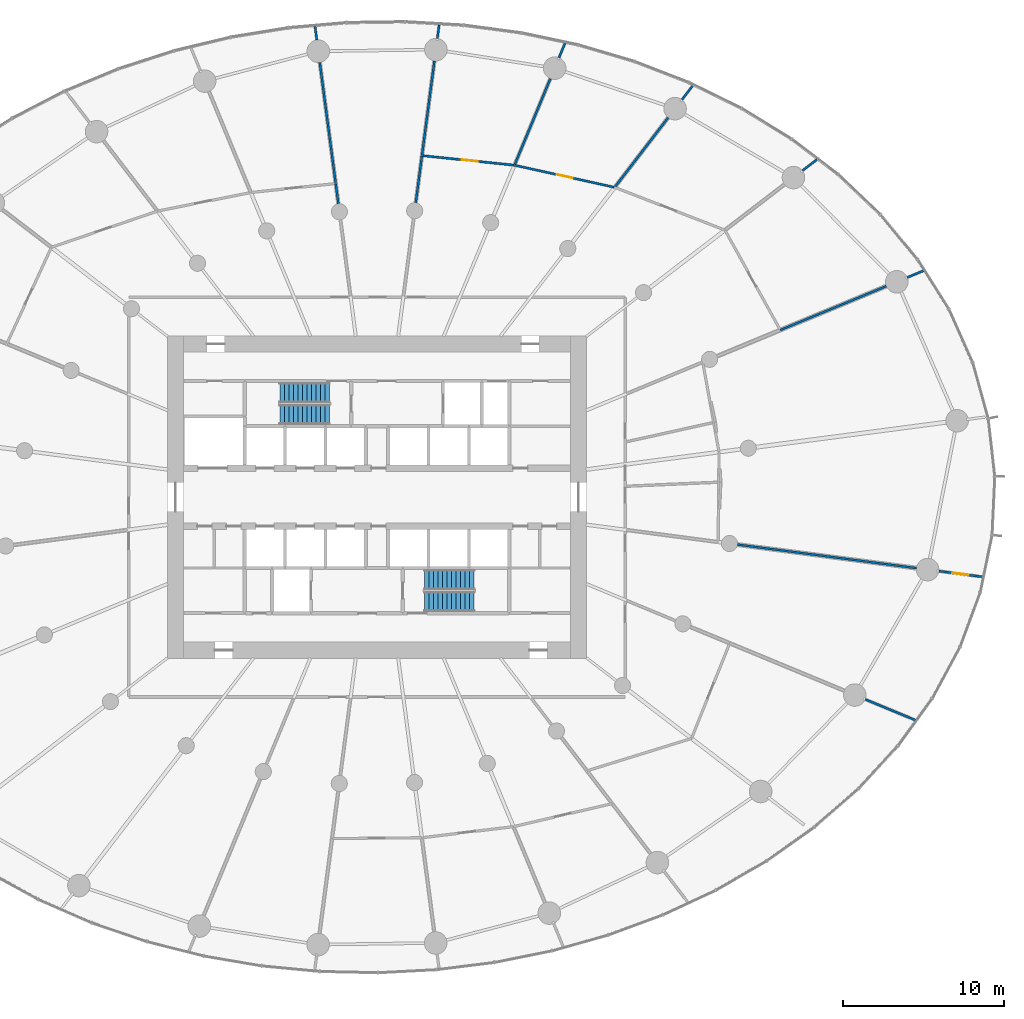
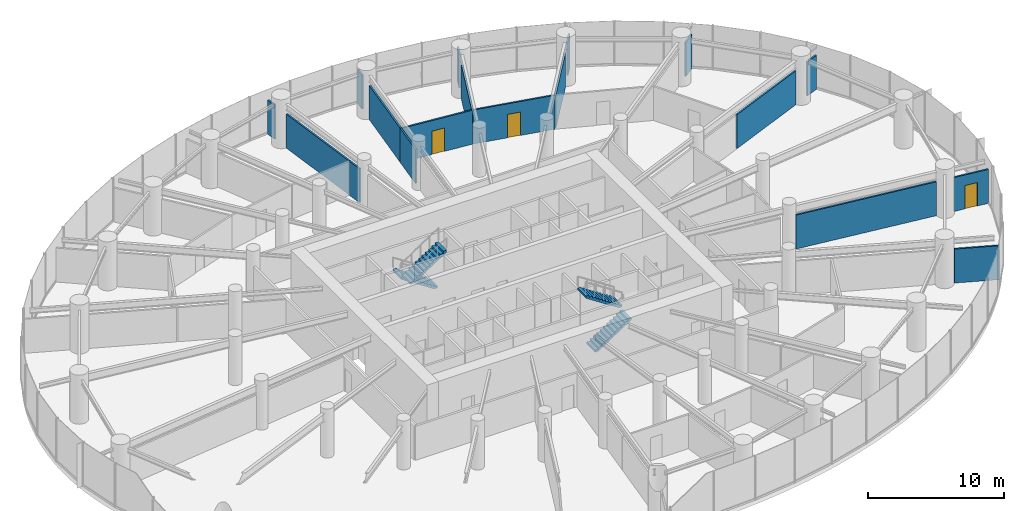
# One storey, part 16 of 19: 18 walls, 4 stair flights, 3 doors, 3 openings, 2 elements without a shape of their own.
"""IFC4 building model written with IfcOpenShell, lengths in metres."""

from ifc_helpers import new_model, si_unit, direction, frame, frame_2d, origin, place, context, subcontext, project, spatial, line, indexed_curve, rectangle, outline, extrude, source, transform, mapped, material, layer, layer_set, type_object, element, fill, aggregate, save


model = new_model("IFC4")

# Units and contexts
model_context = context("Model", 3, precision=1e-05, world=origin(), true_north=direction((0.0, 1.0)))
body_context = subcontext(model_context, "Body", "Model", "MODEL_VIEW")
ifc_project = project(units=[si_unit("LENGTHUNIT", "METRE"), si_unit("AREAUNIT", "SQUARE_METRE"), si_unit("VOLUMEUNIT", "CUBIC_METRE"), si_unit("PLANEANGLEUNIT", "RADIAN"), si_unit("MASSUNIT", "GRAM", prefix="KILO")], contexts=[model_context])

# Site, building, storey
site_placement = place(None, origin())
site = spatial("IfcSite", under=ifc_project, at=site_placement, CompositionType="ELEMENT")
building_placement = place(site_placement, origin())
building = spatial("IfcBuilding", under=site, at=building_placement, Name="Spindrift Exchange Tower", CompositionType="ELEMENT")
storey_placement = place(building_placement, frame((0.0, 0.0, 27.0)))
storey = spatial("IfcBuildingStorey", under=building, at=storey_placement, Name="L06", CompositionType="ELEMENT", Elevation=27.0)

# Walls
ifc_material_1 = material(Name="Fire-rated plasterboard partition", Category="gypsum")
ifc_layer_1 = layer(ifc_material_1, 0.139892578125)
ifc_layer_set_1 = layer_set([ifc_layer_1], Name="W-PART-140")
wall_type_1 = type_object("IfcWallType", Name="W-PART-140", PredefinedType="PARTITIONING", material=ifc_layer_set_1)
wall_1_placement = place(storey_placement, frame((74.36328125, 45.055908203125, 0.0), z_axis=(0.0, 0.0, 1.0), x_axis=(0.991443306772, -0.130538000051, 0.0)))
element("IfcWall", 1, at=wall_1_placement, inside=storey, type_object=wall_type_1, Name="L06 Partition wall 66", PredefinedType="PARTITIONING", context=body_context, shape_type="SweptSolid", body=[
    extrude(rectangle(XDim=11.1953125, YDim=0.139892578125, at=frame_2d((5.59765625, 0.0))), origin(), (0.0, 0.0, 1.0), 3.050048828125),
])
wall_2_placement = place(storey_placement, frame((77.021484375, 58.3642578125, 0.0), z_axis=(0.0, 0.0, 1.0), x_axis=(0.923882643146, 0.382675922542, 0.0)))
element("IfcWall", 2, at=wall_2_placement, inside=storey, type_object=wall_type_1, Name="L06 Partition wall 72", PredefinedType="PARTITIONING", context=body_context, shape_type="SweptSolid", body=[
    extrude(rectangle(XDim=7.117919921875, YDim=0.139892578125, at=frame_2d((3.55908203125, 0.0))), origin(), (0.0, 0.0, 1.0), 3.050048828125),
])
wall_3_placement = place(storey_placement, frame((60.556396484375, 68.656982421875, 0.0), z_axis=(0.0, 0.0, 1.0), x_axis=(0.382663574121, 0.923887757815, 0.0)))
element("IfcWall", 3, at=wall_3_placement, inside=storey, type_object=wall_type_1, Name="L06 Partition wall 86", PredefinedType="PARTITIONING", context=body_context, shape_type="SweptSolid", body=[
    extrude(rectangle(XDim=5.740234375, YDim=0.139892578125, at=frame_2d((2.8701171875, 0.0))), origin(), (0.0, 0.0, 1.0), 3.050048828125),
])
wall_4_placement = place(storey_placement, frame((66.79150390625, 67.276611328125, 0.0), z_axis=(0.0, 0.0, 1.0), x_axis=(0.608764273517, 0.793351157615, 0.0)))
element("IfcWall", 4, at=wall_4_placement, inside=storey, type_object=wall_type_1, Name="L06 Partition wall 94", PredefinedType="PARTITIONING", context=body_context, shape_type="SweptSolid", body=[
    extrude(rectangle(XDim=5.375244140625, YDim=0.139892578125, at=frame_2d((2.6875, 0.0))), origin(), (0.0, 0.0, 1.0), 3.050048828125),
])
wall_5_placement = place(storey_placement, frame((82.2958984375, 35.450927734375, 0.0), z_axis=(0.0, 0.0, 1.0), x_axis=(0.923894038604, -0.382648409681, 0.0)))
element("IfcWall", 5, at=wall_5_placement, inside=storey, type_object=wall_type_1, Name="L06 Partition wall 108", PredefinedType="PARTITIONING", context=body_context, shape_type="SweptSolid", body=[
    extrude(rectangle(XDim=3.3681640625, YDim=0.139892578125, at=frame_2d((1.68408203125, 0.0))), origin(), (0.0, 0.0, 1.0), 3.050048828125),
])

# Wall, opening, door
wall_6_placement = place(storey_placement, frame((86.859375, 43.41064453125, 0.0), z_axis=(0.0, 0.0, 1.0), x_axis=(0.991449119506, -0.130493844417, 0.0)))
wall_6 = element("IfcWall", 6, at=wall_6_placement, inside=storey, type_object=wall_type_1, Name="L06 Partition wall 115", PredefinedType="PARTITIONING", context=body_context, shape_type="SweptSolid", body=[
    extrude(rectangle(XDim=2.729736328125, YDim=0.139892578125, at=frame_2d((1.36474609375, 0.0))), origin(), (0.0, 0.0, 1.0), 3.050048828125),
])
opening_1_placement = place(wall_6_placement, frame((0.85009765625, 0.0, 0.0)))
opening_1 = element("IfcOpeningElement", 7, at=opening_1_placement, cuts=wall_6, Name="Opening L06-D32", PredefinedType="OPENING", context=body_context, shape_type="SweptSolid", body=[
    extrude(rectangle(XDim=1.0, YDim=2.10009765625, at=frame_2d((0.5, 1.050048828125))), frame((0.0, 0.079833984375, 0.0), z_axis=(0.0, -1.0, 0.0), x_axis=(1.0, 0.0, 0.0)), (0.0, 0.0, 1.0), 0.159912109375),
])
ifc_material_2 = material(Name="Timber-core fire door", Category="wood")
door_type = type_object("IfcDoorType", Name="DR-ROOM-1000", OperationType="NOTDEFINED", PredefinedType="DOOR", material=ifc_material_2)
shared_shape = source(origin(), body_context, "Body", "SweptSolid", [
    extrude(rectangle(XDim=1.0, YDim=2.10009765625, at=frame_2d((0.5, 1.050048828125))), frame((0.0, 0.02490234375, 0.0), z_axis=(0.0, -1.0, 0.0), x_axis=(1.0, 0.0, 0.0)), (0.0, 0.0, 1.0), 0.050048828125),
])
door_1_placement = place(opening_1_placement, origin())
door_1 = element("IfcDoor", 8, at=door_1_placement, inside=storey, type_object=door_type, Name="L06 Door 32", OperationType="SINGLE_SWING_LEFT", OverallHeight=2.10009765625, OverallWidth=1.0, PredefinedType="DOOR", context=body_context, shape_type="MappedRepresentation", body=[
    mapped(shared_shape, transform((0.0, 0.0, 0.0), scale=1.0)),
])
fill(opening_1, door_1)

# Walls
wall_7_placement = place(storey_placement, frame((78.394287109375, 68.253173828125, 0.0), z_axis=(0.0, 0.0, 1.0), x_axis=(0.793427142315, 0.608665236266, 0.0)))
element("IfcWall", 9, at=wall_7_placement, inside=storey, type_object=wall_type_1, Name="L06 Partition wall 131", PredefinedType="PARTITIONING", context=body_context, shape_type="SweptSolid", body=[
    extrude(rectangle(XDim=1.140380859375, YDim=0.139892578125, at=frame_2d((0.5703125, 0.0))), origin(), (0.0, 0.0, 1.0), 3.050048828125),
])
wall_8_placement = place(storey_placement, frame((84.900146484375, 61.627685546875, 0.0), z_axis=(0.0, 0.0, 1.0), x_axis=(0.923846875311, 0.382762264308, 0.0)))
element("IfcWall", 10, at=wall_8_placement, inside=storey, type_object=wall_type_1, Name="L06 Partition wall 133", PredefinedType="PARTITIONING", context=body_context, shape_type="SweptSolid", body=[
    extrude(rectangle(XDim=1.085693359375, YDim=0.139892578125, at=frame_2d((0.54296875, 0.0))), origin(), (0.0, 0.0, 1.0), 3.050048828125),
])
wall_9_placement = place(storey_placement, frame((70.9208984375, 72.658447265625, 0.0), z_axis=(0.0, 0.0, 1.0), x_axis=(0.60884531533, 0.793288965006, 0.0)))
element("IfcWall", 11, at=wall_9_placement, inside=storey, type_object=wall_type_1, Name="L06 Partition wall 134", PredefinedType="PARTITIONING", context=body_context, shape_type="SweptSolid", body=[
    extrude(rectangle(XDim=1.077392578125, YDim=0.139892578125, at=frame_2d((0.53857421875, 0.0))), origin(), (0.0, 0.0, 1.0), 3.050048828125),
])
wall_10_placement = place(storey_placement, frame((63.29248046875, 75.2626953125, 0.0), z_axis=(0.0, 0.0, 1.0), x_axis=(0.382814514464, 0.923825225633, 0.0)))
element("IfcWall", 12, at=wall_10_placement, inside=storey, type_object=wall_type_1, Name="L06 Partition wall 136", PredefinedType="PARTITIONING", context=body_context, shape_type="SweptSolid", body=[
    extrude(rectangle(XDim=0.962890625, YDim=0.139892578125, at=frame_2d((0.4814453125, 0.0))), origin(), (0.0, 0.0, 1.0), 3.050048828125),
])
ifc_layer_2 = layer(ifc_material_1, 0.139892578125)
ifc_layer_set_2 = layer_set([ifc_layer_2], Name="W-PLANT-140")
wall_type_2 = type_object("IfcWallType", Name="W-PLANT-140", PredefinedType="PARTITIONING", material=ifc_layer_set_2)
wall_11_placement = place(storey_placement, frame((49.438720703125, 67.4541015625, 0.0), z_axis=(0.0, 0.0, 1.0), x_axis=(-0.130518718584, 0.991445845268, 0.0)))
element("IfcWall", 13, at=wall_11_placement, inside=storey, type_object=wall_type_2, Name="L06 Partition wall 69", PredefinedType="PARTITIONING", context=body_context, shape_type="SweptSolid", body=[
    extrude(rectangle(XDim=7.57373046875, YDim=0.139892578125, at=frame_2d((3.786865234375, 0.0))), origin(), (0.0, 0.0, 1.0), 3.050048828125),
])

# Wall, opening, door
wall_12_placement = place(storey_placement, frame((60.529296875, 68.59130859375, 0.0), z_axis=(0.0, 0.0, 1.0), x_axis=(0.976496953748, -0.21553120266, 0.0)))
wall_12 = element("IfcWall", 14, at=wall_12_placement, inside=storey, type_object=wall_type_2, Name="L06 Partition wall 79", PredefinedType="PARTITIONING", context=body_context, shape_type="SweptSolid", body=[
    extrude(rectangle(XDim=6.337646484375, YDim=0.139892578125, at=frame_2d((3.1689453125, 0.0))), origin(), (0.0, 0.0, 1.0), 3.050048828125),
])
opening_2_placement = place(wall_12_placement, frame((2.687744140625, 0.0, 0.0)))
opening_2 = element("IfcOpeningElement", 15, at=opening_2_placement, cuts=wall_12, Name="Opening L06-D30", PredefinedType="OPENING", context=body_context, shape_type="SweptSolid", body=[
    extrude(rectangle(XDim=1.0, YDim=2.10009765625, at=frame_2d((0.5, 1.050048828125))), frame((0.0, 0.079833984375, 0.0), z_axis=(0.0, -1.0, 0.0), x_axis=(1.0, 0.0, 0.0)), (0.0, 0.0, 1.0), 0.159912109375),
])
door_2_placement = place(opening_2_placement, origin())
door_2 = element("IfcDoor", 16, at=door_2_placement, inside=storey, type_object=door_type, Name="L06 Door 30", OperationType="SINGLE_SWING_LEFT", OverallHeight=2.10009765625, OverallWidth=1.0, PredefinedType="DOOR", context=body_context, shape_type="MappedRepresentation", body=[
    mapped(shared_shape, transform((0.0, 0.0, 0.0), scale=1.0)),
])
fill(opening_2, door_2)

# Wall
wall_13_placement = place(storey_placement, frame((54.789306640625, 69.18701171875, 0.0), z_axis=(0.0, 0.0, 1.0), x_axis=(0.130536559076, 0.991443496496, 0.0)))
element("IfcWall", 17, at=wall_13_placement, inside=storey, type_object=wall_type_2, Name="L06 Partition wall 83", PredefinedType="PARTITIONING", context=body_context, shape_type="SweptSolid", body=[
    extrude(rectangle(XDim=5.927001953125, YDim=0.139892578125, at=frame_2d((2.96337890625, 0.0))), origin(), (0.0, 0.0, 1.0), 3.050048828125),
])

# Wall, opening, door
wall_14_placement = place(storey_placement, frame((54.85888671875, 69.179931640625, 0.0), z_axis=(0.0, 0.0, 1.0), x_axis=(0.994651908079, -0.103283985953, 0.0)))
wall_14 = element("IfcWall", 18, at=wall_14_placement, inside=storey, type_object=wall_type_2, Name="L06 Partition wall 88", PredefinedType="PARTITIONING", context=body_context, shape_type="SweptSolid", body=[
    extrude(rectangle(XDim=5.670654296875, YDim=0.139892578125, at=frame_2d((2.83544921875, 0.0))), origin(), (0.0, 0.0, 1.0), 3.050048828125),
])
opening_3_placement = place(wall_14_placement, frame((2.420654296875, 0.0, 0.0)))
opening_3 = element("IfcOpeningElement", 19, at=opening_3_placement, cuts=wall_14, Name="Opening L06-D31", PredefinedType="OPENING", context=body_context, shape_type="SweptSolid", body=[
    extrude(rectangle(XDim=1.0, YDim=2.10009765625, at=frame_2d((0.5, 1.050048828125))), frame((0.0, 0.079833984375, 0.0), z_axis=(0.0, -1.0, 0.0), x_axis=(1.0, 0.0, 0.0)), (0.0, 0.0, 1.0), 0.159912109375),
])
door_3_placement = place(opening_3_placement, origin())
door_3 = element("IfcDoor", 20, at=door_3_placement, inside=storey, type_object=door_type, Name="L06 Door 31", OperationType="SINGLE_SWING_RIGHT", OverallHeight=2.10009765625, OverallWidth=1.0, PredefinedType="DOOR", context=body_context, shape_type="MappedRepresentation", body=[
    mapped(shared_shape, transform((0.0, 0.0, 0.0), scale=1.0)),
])
fill(opening_3, door_3)

# Walls
wall_15_placement = place(storey_placement, frame((54.405029296875, 66.267333984375, 0.0), z_axis=(0.0, 0.0, 1.0), x_axis=(0.130484843212, 0.991450304197, 0.0)))
element("IfcWall", 21, at=wall_15_placement, inside=storey, type_object=wall_type_2, Name="L06 Partition wall 114", PredefinedType="PARTITIONING", context=body_context, shape_type="SweptSolid", body=[
    extrude(rectangle(XDim=2.9150390625, YDim=0.139892578125, at=frame_2d((1.45751953125, 0.0))), origin(), (0.0, 0.0, 1.0), 3.050048828125),
])
wall_16_placement = place(storey_placement, frame((49.603515625, 66.203369140625, 0.0), z_axis=(0.0, 0.0, 1.0), x_axis=(-0.130449384216, 0.991454970313, 0.0)))
element("IfcWall", 22, at=wall_16_placement, inside=storey, type_object=wall_type_2, Name="L06 Partition wall 130", PredefinedType="PARTITIONING", context=body_context, shape_type="SweptSolid", body=[
    extrude(rectangle(XDim=1.2314453125, YDim=0.139892578125, at=frame_2d((0.61572265625, 0.0))), origin(), (0.0, 0.0, 1.0), 3.050048828125),
])
wall_17_placement = place(storey_placement, frame((55.746826171875, 76.459716796875, 0.0), z_axis=(0.0, 0.0, 1.0), x_axis=(0.1304619789, 0.991453313102, 0.0)))
element("IfcWall", 23, at=wall_17_placement, inside=storey, type_object=wall_type_2, Name="L06 Partition wall 138", PredefinedType="PARTITIONING", context=body_context, shape_type="SweptSolid", body=[
    extrude(rectangle(XDim=0.845947265625, YDim=0.139892578125, at=frame_2d((0.4228515625, 0.0))), origin(), (0.0, 0.0, 1.0), 3.050048828125),
])
wall_18_placement = place(storey_placement, frame((48.266357421875, 76.359619140625, 0.0), z_axis=(0.0, 0.0, 1.0), x_axis=(-0.130342122338, 0.991469077251, 0.0)))
element("IfcWall", 24, at=wall_18_placement, inside=storey, type_object=wall_type_2, Name="L06 Partition wall 139", PredefinedType="PARTITIONING", context=body_context, shape_type="SweptSolid", body=[
    extrude(rectangle(XDim=0.8427734375, YDim=0.139892578125, at=frame_2d((0.42138671875, 0.0))), origin(), (0.0, 0.0, 1.0), 3.050048828125),
])

# Stair, stair flights
ifc_material_3 = material(Name="Concrete 50 MPa", Category="concrete")
stair_type = type_object("IfcStairType", Name="ST-1250-R183", PredefinedType="HALF_TURN_STAIR", material=ifc_material_3)
stair_1_placement = place(storey_placement, origin())
stair_1 = element("IfcStair", 25, at=stair_1_placement, inside=storey, type_object=stair_type, Name="L06 Exit stair ST1", PredefinedType="HALF_TURN_STAIR")
stair_flight_type = type_object("IfcStairFlightType", Name="STF-1250-R183", PredefinedType="STRAIGHT", material=ifc_material_3)
stair_flight_1_placement = place(storey_placement, frame((49.050048828125, 54.47509765625, 0.0), z_axis=(0.0, 0.0, 1.0), x_axis=(-1.0, 0.0, 0.0)))
stair_flight_1 = element("IfcStairFlight", 26, at=stair_flight_1_placement, type_object=stair_flight_type, Name="ST1 flight 1", NumberOfRisers=12, NumberOfTreads=11, PredefinedType="STRAIGHT", RiserHeight=0.183333333, TreadLength=0.28, context=body_context, shape_type="SweptSolid", body=[
    extrude(outline(indexed_curve([(0.0, 0.0), (0.0, 0.18359375), (0.2802734375, 0.18359375), (0.2802734375, 0.3662109375), (0.5595703125, 0.3662109375), (0.5595703125, 0.5498046875), (0.83984375, 0.5498046875), (0.83984375, 0.7333984375), (1.1201171875, 0.7333984375), (1.1201171875, 0.9169921875), (1.400390625, 0.9169921875), (1.400390625, 1.099609375), (1.6796875, 1.099609375), (1.6796875, 1.283203125), (1.9599609375, 1.283203125), (1.9599609375, 1.466796875), (2.240234375, 1.466796875), (2.240234375, 1.650390625), (2.51953125, 1.650390625), (2.51953125, 1.8330078125), (2.7998046875, 1.8330078125), (2.7998046875, 2.0166015625), (3.080078125, 2.0166015625), (3.080078125, 2.2001953125), (3.080078125, 1.837890625), (0.2734375, 0.0)], segments=[line(1, 2, 3, 4, 5, 6, 7, 8, 9, 10, 11, 12, 13, 14, 15, 16, 17, 18, 19, 20, 21, 22, 23, 24, 25, 26, 1)], self_intersect=False)), frame((0.0, 0.625, 0.0), z_axis=(0.0, -1.0, 0.0), x_axis=(1.0, 0.0, 0.0)), (0.0, 0.0, 1.0), 1.25),
])
stair_flight_2_placement = place(storey_placement, frame((45.969970703125, 53.125, 2.199951171875), z_axis=(0.0, 0.0, 1.0), x_axis=(1.0, 0.0, 0.0)))
stair_flight_2 = element("IfcStairFlight", 27, at=stair_flight_2_placement, type_object=stair_flight_type, Name="ST1 flight 2", NumberOfRisers=12, NumberOfTreads=11, PredefinedType="STRAIGHT", RiserHeight=0.183333333, TreadLength=0.28, context=body_context, shape_type="SweptSolid", body=[
    extrude(outline(indexed_curve([(0.0, 0.0), (0.0, 0.18359375), (0.2802734375, 0.18359375), (0.2802734375, 0.3662109375), (0.5595703125, 0.3662109375), (0.5595703125, 0.5498046875), (0.83984375, 0.5498046875), (0.83984375, 0.7333984375), (1.1201171875, 0.7333984375), (1.1201171875, 0.9169921875), (1.400390625, 0.9169921875), (1.400390625, 1.099609375), (1.6796875, 1.099609375), (1.6796875, 1.283203125), (1.9599609375, 1.283203125), (1.9599609375, 1.466796875), (2.240234375, 1.466796875), (2.240234375, 1.650390625), (2.51953125, 1.650390625), (2.51953125, 1.8330078125), (2.7998046875, 1.8330078125), (2.7998046875, 2.0166015625), (3.080078125, 2.0166015625), (3.080078125, 2.2001953125), (3.080078125, 1.837890625), (0.2734375, 0.0)], segments=[line(1, 2, 3, 4, 5, 6, 7, 8, 9, 10, 11, 12, 13, 14, 15, 16, 17, 18, 19, 20, 21, 22, 23, 24, 25, 26, 1)], self_intersect=False)), frame((0.0, 0.625, 0.0), z_axis=(0.0, -1.0, 0.0), x_axis=(1.0, 0.0, 0.0)), (0.0, 0.0, 1.0), 1.25),
])
aggregate(stair_1, [stair_flight_1, stair_flight_2])

stair_2_placement = place(storey_placement, origin())
stair_2 = element("IfcStair", 28, at=stair_2_placement, inside=storey, type_object=stair_type, Name="L06 Exit stair ST2", PredefinedType="HALF_TURN_STAIR")
stair_flight_3_placement = place(storey_placement, frame((54.949951171875, 41.52490234375, 0.0), z_axis=(0.0, 0.0, 1.0), x_axis=(1.0, 0.0, 0.0)))
stair_flight_3 = element("IfcStairFlight", 29, at=stair_flight_3_placement, type_object=stair_flight_type, Name="ST2 flight 1", NumberOfRisers=12, NumberOfTreads=11, PredefinedType="STRAIGHT", RiserHeight=0.183333333, TreadLength=0.28, context=body_context, shape_type="SweptSolid", body=[
    extrude(outline(indexed_curve([(0.0, 0.0), (0.0, 0.18359375), (0.2802734375, 0.18359375), (0.2802734375, 0.3662109375), (0.5595703125, 0.3662109375), (0.5595703125, 0.5498046875), (0.83984375, 0.5498046875), (0.83984375, 0.7333984375), (1.1201171875, 0.7333984375), (1.1201171875, 0.9169921875), (1.400390625, 0.9169921875), (1.400390625, 1.099609375), (1.6796875, 1.099609375), (1.6796875, 1.283203125), (1.9599609375, 1.283203125), (1.9599609375, 1.466796875), (2.240234375, 1.466796875), (2.240234375, 1.650390625), (2.51953125, 1.650390625), (2.51953125, 1.8330078125), (2.7998046875, 1.8330078125), (2.7998046875, 2.0166015625), (3.080078125, 2.0166015625), (3.080078125, 2.2001953125), (3.080078125, 1.837890625), (0.2734375, 0.0)], segments=[line(1, 2, 3, 4, 5, 6, 7, 8, 9, 10, 11, 12, 13, 14, 15, 16, 17, 18, 19, 20, 21, 22, 23, 24, 25, 26, 1)], self_intersect=False)), frame((0.0, 0.625, 0.0), z_axis=(0.0, -1.0, 0.0), x_axis=(1.0, 0.0, 0.0)), (0.0, 0.0, 1.0), 1.25),
])
stair_flight_4_placement = place(storey_placement, frame((58.030029296875, 42.875, 2.199951171875), z_axis=(0.0, 0.0, 1.0), x_axis=(-1.0, 0.0, 0.0)))
stair_flight_4 = element("IfcStairFlight", 30, at=stair_flight_4_placement, type_object=stair_flight_type, Name="ST2 flight 2", NumberOfRisers=12, NumberOfTreads=11, PredefinedType="STRAIGHT", RiserHeight=0.183333333, TreadLength=0.28, context=body_context, shape_type="SweptSolid", body=[
    extrude(outline(indexed_curve([(0.0, 0.0), (0.0, 0.18359375), (0.2802734375, 0.18359375), (0.2802734375, 0.3662109375), (0.5595703125, 0.3662109375), (0.5595703125, 0.5498046875), (0.83984375, 0.5498046875), (0.83984375, 0.7333984375), (1.1201171875, 0.7333984375), (1.1201171875, 0.9169921875), (1.400390625, 0.9169921875), (1.400390625, 1.099609375), (1.6796875, 1.099609375), (1.6796875, 1.283203125), (1.9599609375, 1.283203125), (1.9599609375, 1.466796875), (2.240234375, 1.466796875), (2.240234375, 1.650390625), (2.51953125, 1.650390625), (2.51953125, 1.8330078125), (2.7998046875, 1.8330078125), (2.7998046875, 2.0166015625), (3.080078125, 2.0166015625), (3.080078125, 2.2001953125), (3.080078125, 1.837890625), (0.2734375, 0.0)], segments=[line(1, 2, 3, 4, 5, 6, 7, 8, 9, 10, 11, 12, 13, 14, 15, 16, 17, 18, 19, 20, 21, 22, 23, 24, 25, 26, 1)], self_intersect=False)), frame((0.0, 0.625, 0.0), z_axis=(0.0, -1.0, 0.0), x_axis=(1.0, 0.0, 0.0)), (0.0, 0.0, 1.0), 1.25),
])
aggregate(stair_2, [stair_flight_3, stair_flight_4])

save(model, "model.ifc")
